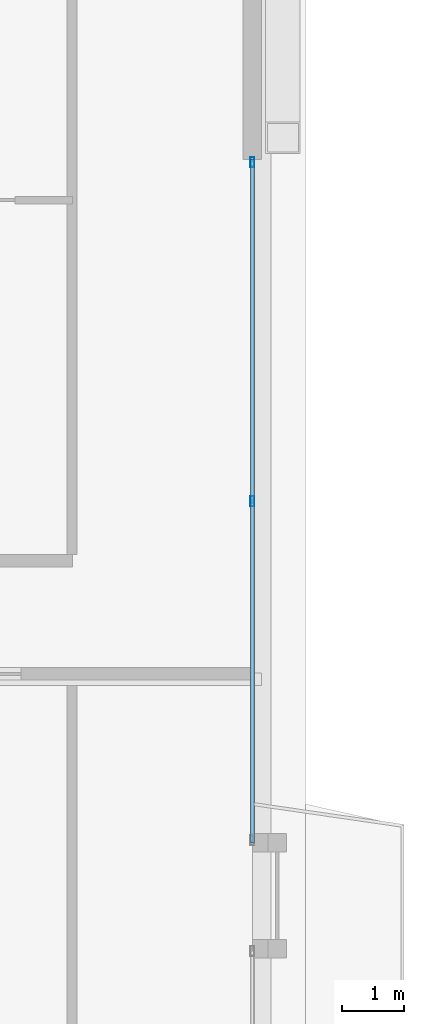
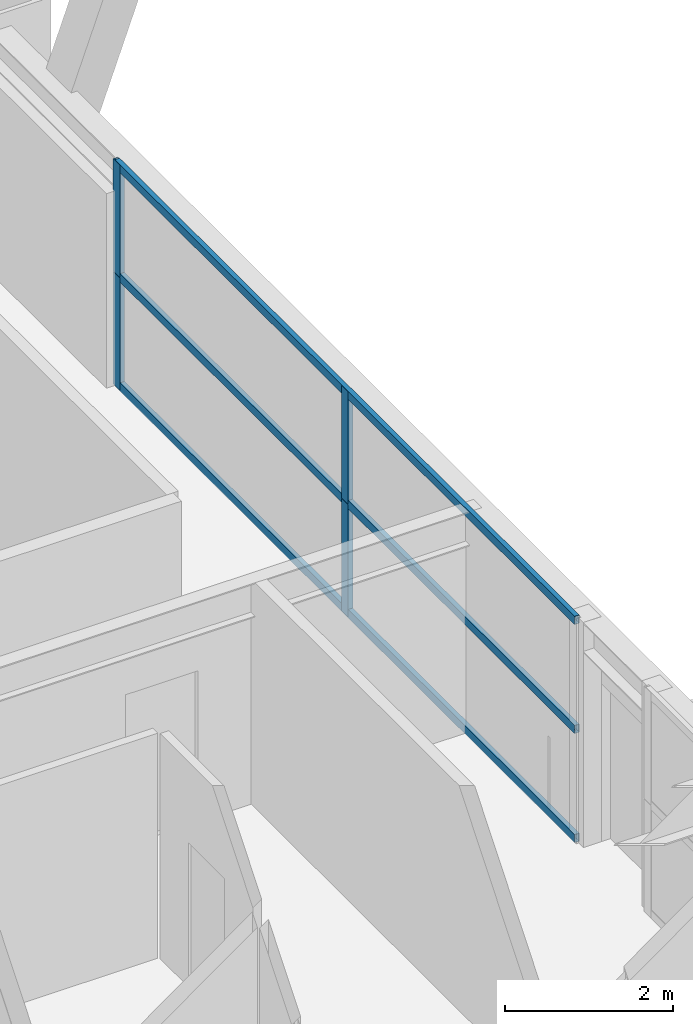
# One storey, part 37 of 45: 7 members, 1 element without a shape of its own.
"""IFC4 building model written with IfcOpenShell, lengths in metres."""

from ifc_helpers import new_model, si_unit, direction, frame, origin, origin_2d, place, context, subcontext, project, spatial, hollow_rectangle, extrude, source, transform, mapped, material, layer, layer_set, material_profile, profile_set, type_object, element, aggregate, save


model = new_model("IFC4")

# Units and contexts
model_context = context("Model", 3, precision=1e-05, world=origin(), true_north=direction((0.0, 1.0)))
body_context = subcontext(model_context, "Body", "Model", "MODEL_VIEW")
ifc_project = project(units=[si_unit("LENGTHUNIT", "METRE"), si_unit("AREAUNIT", "SQUARE_METRE"), si_unit("VOLUMEUNIT", "CUBIC_METRE"), si_unit("PLANEANGLEUNIT", "RADIAN"), si_unit("MASSUNIT", "GRAM", prefix="KILO"), si_unit("THERMODYNAMICTEMPERATUREUNIT", "KELVIN"), si_unit("POWERUNIT", "WATT")], contexts=[model_context])

# Site, building, storey
site_placement = place(None, origin())
site = spatial("IfcSite", under=ifc_project, at=site_placement, CompositionType="ELEMENT")
building_placement = place(site_placement, origin())
building = spatial("IfcBuilding", under=site, at=building_placement, Name="Yuzanri Waterfront Tower", CompositionType="ELEMENT")
storey_placement = place(building_placement, frame((0.0, 0.0, 191.5)))
storey = spatial("IfcBuildingStorey", under=building, at=storey_placement, Name="L50", CompositionType="ELEMENT", Elevation=191.5)

# Curtain wall, members
ifc_material_1 = material(Name="Anodized Architectural Bronze", Category="metal")
ifc_layer = layer(ifc_material_1, 0.159912109375)
ifc_layer_set = layer_set([ifc_layer], Name="Anodized Architectural Bronze")
curtain_wall_type = type_object("IfcCurtainWallType", Name="Anodized Bronze Mid-Rise Residential Acoustic Unitized Curtain Wall 7200", PredefinedType="NOTDEFINED", material=ifc_layer_set)
curtain_wall_placement = place(storey_placement, origin())
curtain_wall = element("IfcCurtainWall", 1, at=curtain_wall_placement, inside=storey, type_object=curtain_wall_type, Name="L50 Curtain Wall CW-L50-ER2", PredefinedType="NOTDEFINED")
ifc_material_2 = material(Name="Anodized Architectural Bronze", Category="metal")
ifc_material_profile_1 = material_profile(ifc_material_2, hollow_rectangle(XDim=0.06494140625, YDim=0.159912109375, WallThickness=0.00341796875, at=origin_2d()), Name="CWM 65x160")
ifc_profile_set_1 = profile_set([ifc_material_profile_1], Name="Anodized Architectural Bronze")
member_type_1 = type_object("IfcMemberType", Name="Anodized Bronze Upper-Zone Curtain-Wall Mullion 65x160", PredefinedType="MULLION", material=ifc_profile_set_1)
shared_shape_1 = source(origin(), body_context, "Body", "SweptSolid", [
    extrude(hollow_rectangle(XDim=0.06494140625, YDim=0.159912109375, WallThickness=0.00341796875, at=origin_2d()), origin(), (0.0, 0.0, 1.0), 1.637939453125),
])
member_1_placement = place(storey_placement, frame((58.949951171875, 35.0625, 0.0), z_axis=(0.0, 0.0, 1.0), x_axis=(1.0, 0.0, 0.0)))
member_1 = element("IfcMember", 2, at=member_1_placement, type_object=member_type_1, Name="CW-L50-ER2 Lower Mullion 01", PredefinedType="MULLION", context=body_context, shape_type="MappedRepresentation", body=[
    mapped(shared_shape_1, transform((0.0, 0.0, 0.0), scale=1.0)),
])
member_2_placement = place(storey_placement, frame((58.949951171875, 35.0625, 1.64208984375), z_axis=(0.0, 0.0, 1.0), x_axis=(1.0, 0.0, 0.0)))
member_2 = element("IfcMember", 3, at=member_2_placement, type_object=member_type_1, Name="CW-L50-ER2 Upper Mullion 01", PredefinedType="MULLION", context=body_context, shape_type="MappedRepresentation", body=[
    mapped(shared_shape_1, transform((0.0, 0.0, 0.0), scale=1.0)),
])
member_3_placement = place(storey_placement, frame((58.949951171875, 40.510009765625, 0.0), z_axis=(0.0, 0.0, 1.0), x_axis=(1.0, 0.0, 0.0)))
member_3 = element("IfcMember", 4, at=member_3_placement, type_object=member_type_1, Name="CW-L50-ER2 Lower Mullion 02", PredefinedType="MULLION", context=body_context, shape_type="MappedRepresentation", body=[
    mapped(shared_shape_1, transform((0.0, 0.0, 0.0), scale=1.0)),
])
member_4_placement = place(storey_placement, frame((58.949951171875, 40.510009765625, 1.64208984375), z_axis=(0.0, 0.0, 1.0), x_axis=(1.0, 0.0, 0.0)))
member_4 = element("IfcMember", 5, at=member_4_placement, type_object=member_type_1, Name="CW-L50-ER2 Upper Mullion 02", PredefinedType="MULLION", context=body_context, shape_type="MappedRepresentation", body=[
    mapped(shared_shape_1, transform((0.0, 0.0, 0.0), scale=1.0)),
])
ifc_material_3 = material(Name="Anodized Architectural Bronze", Category="metal")
ifc_material_profile_2 = material_profile(ifc_material_3, hollow_rectangle(XDim=0.06494140625, YDim=0.1201171875, WallThickness=0.00341796875, at=origin_2d()), Name="CWT 65x120")
ifc_profile_set_2 = profile_set([ifc_material_profile_2], Name="Anodized Architectural Bronze")
member_type_2 = type_object("IfcMemberType", Name="Anodized Bronze Secondary Curtain-Wall Transom 65x120", PredefinedType="USERDEFINED", material=ifc_profile_set_2)
shared_shape_2 = source(origin(), body_context, "Body", "SweptSolid", [
    extrude(hollow_rectangle(XDim=0.06494140625, YDim=0.1201171875, WallThickness=0.00341796875, at=origin_2d()), origin(), (0.0, 0.0, 1.0), 10.97509765625),
])
member_5_placement = place(storey_placement, frame((58.949951171875, 29.574951171875, 0.050048828125), z_axis=(0.0, 1.0, 0.0), x_axis=(-1.0, 0.0, 0.0)))
member_5 = element("IfcMember", 6, at=member_5_placement, type_object=member_type_2, Name="CW-L50-ER2 Transom 1", ObjectType="TRANSOM", PredefinedType="USERDEFINED", context=body_context, shape_type="MappedRepresentation", body=[
    mapped(shared_shape_2, transform((0.0, 0.0, 0.0), scale=1.0)),
])
member_6_placement = place(storey_placement, frame((58.949951171875, 29.574951171875, 1.639892578125), z_axis=(0.0, 1.0, 0.0), x_axis=(-1.0, 0.0, 0.0)))
member_6 = element("IfcMember", 7, at=member_6_placement, type_object=member_type_2, Name="CW-L50-ER2 Transom 2", ObjectType="TRANSOM", PredefinedType="USERDEFINED", context=body_context, shape_type="MappedRepresentation", body=[
    mapped(shared_shape_2, transform((0.0, 0.0, 0.0), scale=1.0)),
])
member_7_placement = place(storey_placement, frame((58.949951171875, 29.574951171875, 3.22998046875), z_axis=(0.0, 1.0, 0.0), x_axis=(-1.0, 0.0, 0.0)))
member_7 = element("IfcMember", 8, at=member_7_placement, type_object=member_type_2, Name="CW-L50-ER2 Transom 3", ObjectType="TRANSOM", PredefinedType="USERDEFINED", context=body_context, shape_type="MappedRepresentation", body=[
    mapped(shared_shape_2, transform((0.0, 0.0, 0.0), scale=1.0)),
])
aggregate(curtain_wall, [member_1, member_2, member_3, member_4, member_5, member_6, member_7])

save(model, "model.ifc")
